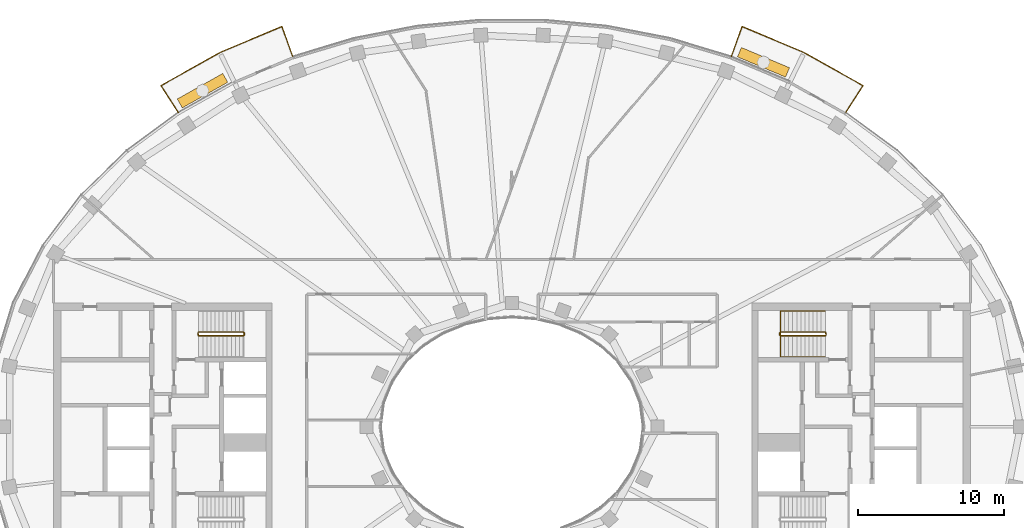
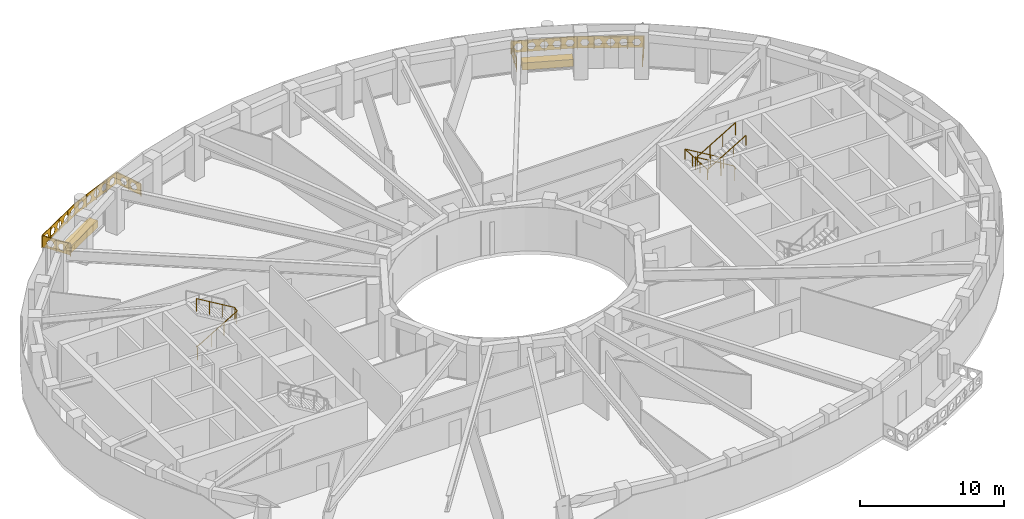
# One storey, part 14 of 15: 5 railings, 2 coverings.
"""IFC4 building model written with IfcOpenShell, lengths in metres."""

import ifcopenshell
import ifcopenshell.guid

model = None  # the IFC model being written
_history = None  # IfcOwnerHistory: only IFC2X3 demands one
_inside = {}  # id of a spatial element -> (the spatial element, [elements in it])
_under = {}  # id of a project, library or spatial element -> (it, [spatial elements below it])
_declared = {}  # id of a project -> (the project, [libraries it declares])
_typed = {}  # id of a type object -> (the type object, [elements of that type])
_made_of = {}  # id of a material, layer set ... -> (it, [elements and type objects made of it])


def new_model(schema):
    """Start an empty IFC model of exactly this schema.

    Asked for "IFC4X3", IfcOpenShell would pick the latest addendum, in which some entities
    have other attributes; the version numbers below select the first issue.
    IFC2X3 requires an IfcOwnerHistory on every rooted entity: one is made here for all.
    """
    global model, _history
    if schema == "IFC4X3":
        model = ifcopenshell.file(schema_version=(4, 3, 0, 0))
    else:
        model = ifcopenshell.file(schema=schema)
    _inside.clear()
    _under.clear()
    _declared.clear()
    _typed.clear()
    _made_of.clear()
    _history = None
    if model.schema == "IFC2X3":
        org = make("IfcOrganization", Name="unknown")
        user = make(
            "IfcPersonAndOrganization",
            ThePerson=make("IfcPerson", FamilyName="unknown"),
            TheOrganization=org,
        )
        app = make(
            "IfcApplication",
            ApplicationDeveloper=org,
            Version="unknown",
            ApplicationFullName="unknown",
            ApplicationIdentifier="unknown",
        )
        _history = make(
            "IfcOwnerHistory",
            OwningUser=user,
            OwningApplication=app,
            ChangeAction="ADDED",
            CreationDate=0,
        )
    return model


def make(cls, **values):
    """One entity of the class cls with the attributes given. An attribute that is None is left unset."""
    return model.create_entity(
        cls, **{name: value for name, value in values.items() if value is not None}
    )


def rooted(cls, **values):
    """An entity with a GlobalId (a new one), such as an element, a storey or a relation."""
    return make(cls, GlobalId=ifcopenshell.guid.new(), OwnerHistory=_history, **values)


def si_unit(unit_type, name, prefix=None):
    """IfcSIUnit, for example si_unit("LENGTHUNIT", "METRE", prefix="MILLI")."""
    return make("IfcSIUnit", UnitType=unit_type, Prefix=prefix, Name=name)


def assignment(units):
    """IfcUnitAssignment: the units of a project."""
    return None if units is None else make("IfcUnitAssignment", Units=units)


def point(xyz):
    """IfcCartesianPoint."""
    return None if xyz is None else make("IfcCartesianPoint", Coordinates=xyz)


def direction(xyz):
    """IfcDirection."""
    return None if xyz is None else make("IfcDirection", DirectionRatios=xyz)


def frame(location, z_axis=None, x_axis=None):
    """IfcAxis2Placement3D, a coordinate frame: its origin and axes. An axis left out is left unset."""
    return make(
        "IfcAxis2Placement3D",
        Location=point(location),
        Axis=direction(z_axis),
        RefDirection=direction(x_axis),
    )


def frame_2d(location, x_axis=None):
    """IfcAxis2Placement2D, a coordinate frame in the plane: its origin and x axis."""
    return make(
        "IfcAxis2Placement2D", Location=point(location), RefDirection=direction(x_axis)
    )


def origin():
    """The frame at (0, 0, 0) with its axes left unset."""
    return frame((0.0, 0.0, 0.0))


def origin_2d():
    """The frame at (0, 0) in the plane with its x axis left unset."""
    return frame_2d((0.0, 0.0))


def place(relative_to, where):
    """IfcLocalPlacement: puts the frame where relative to a parent placement (None: the world)."""
    return make(
        "IfcLocalPlacement", PlacementRelTo=relative_to, RelativePlacement=where
    )


def context(
    kind, dimensions, precision=None, world=None, true_north=None, identifier=None
):
    """IfcGeometricRepresentationContext, for example the 3D "Model" context."""
    return make(
        "IfcGeometricRepresentationContext",
        ContextIdentifier=identifier,
        ContextType=kind,
        CoordinateSpaceDimension=dimensions,
        Precision=precision,
        WorldCoordinateSystem=world,
        TrueNorth=true_north,
    )


def subcontext(parent, identifier, kind, view, scale=None):
    """IfcGeometricRepresentationSubContext, for example "Body" below "Model"."""
    return make(
        "IfcGeometricRepresentationSubContext",
        ContextIdentifier=identifier,
        ContextType=kind,
        ParentContext=parent,
        TargetScale=scale,
        TargetView=view,
    )


def project(units=None, contexts=None):
    """IfcProject with its units and contexts."""
    return rooted(
        "IfcProject",
        Name="project",
        RepresentationContexts=contexts,
        UnitsInContext=assignment(units),
    )


def spatial(cls, under=None, at=None, **own):
    """A site, building, storey or space (cls), placed at a placement, below another one or the project."""
    s = rooted(cls, ObjectPlacement=at, **own)
    if under is not None:
        _under.setdefault(under.id(), (under, []))[1].append(s)
    return s


def polyline(points):
    """IfcPolyline through the points."""
    return make("IfcPolyline", Points=[point(p) for p in points])


def profile(cls, at=None, kind="AREA", **sizes):
    """A parametric profile (cls). Its sizes go by their IFC names, for example OverallWidth=200.0."""
    return make(cls, ProfileType=kind, Position=at, **sizes)


def rectangle(**sizes):
    """IfcRectangleProfileDef."""
    return profile("IfcRectangleProfileDef", **sizes)


def outline(outer, holes=None, kind="AREA"):
    """IfcArbitraryClosedProfileDef: a profile drawn as a closed curve; with holes, ...WithVoids."""
    if holes is None:
        return make("IfcArbitraryClosedProfileDef", ProfileType=kind, OuterCurve=outer)
    return make(
        "IfcArbitraryProfileDefWithVoids",
        ProfileType=kind,
        OuterCurve=outer,
        InnerCurves=holes,
    )


def extrude(swept, where, along, depth):
    """IfcExtrudedAreaSolid: the profile swept, set in the frame where, extruded along a direction by depth."""
    return make(
        "IfcExtrudedAreaSolid",
        SweptArea=swept,
        Position=where,
        ExtrudedDirection=direction(along),
        Depth=depth,
    )


def shape(context_of_items, identifier, shape_type, items):
    """IfcShapeRepresentation: the items that make up one representation, for example the "Body"."""
    return make(
        "IfcShapeRepresentation",
        ContextOfItems=context_of_items,
        RepresentationIdentifier=identifier,
        RepresentationType=shape_type,
        Items=items,
    )


def material(Name=None, Category=None):
    """IfcMaterial."""
    return make("IfcMaterial", Name=Name, Category=Category)


def made_of(thing, what):
    """Note that an element or type object is made of a material, layer set ...; save() writes the relation."""
    if what is not None:
        _made_of.setdefault(what.id(), (what, []))[1].append(thing)
    return thing


def type_object(cls, material=None, **own):
    """A type object (cls), such as IfcWallType, which elements share."""
    return made_of(rooted(cls, **own), material)


def element(
    cls,
    number,
    at=None,
    inside=None,
    cuts=None,
    type_object=None,
    material=None,
    context=None,
    identifier="Body",
    shape_type=None,
    held_by="IfcProductDefinitionShape",
    body=None,
    shapes=None,
    **own,
):
    """One element of the class cls, such as IfcWall. Its Tag is "e" and its number.

    at: its placement. inside: the storey or other place that contains it. cuts: it is an
    opening in that element (IfcRelVoidsElement). A single representation is given by context,
    identifier, shape_type and body (its items); several are given by shapes. held_by: the class
    of the entity that holds the representations. save() writes the other relations.
    """
    e = rooted(cls, Tag="e%d" % number, ObjectPlacement=at, **own)
    if body is not None:
        shapes = [shape(context, identifier, shape_type, body)]
    if shapes is not None:
        e.Representation = make(held_by, Representations=shapes)
    if inside is not None:
        _inside.setdefault(inside.id(), (inside, []))[1].append(e)
    if cuts is not None:
        rooted(
            "IfcRelVoidsElement", RelatingBuildingElement=cuts, RelatedOpeningElement=e
        )
    if type_object is not None:
        _typed.setdefault(type_object.id(), (type_object, []))[1].append(e)
    return made_of(e, material)


def aggregate(whole, parts):
    """IfcRelAggregates: a whole, such as a stair, and the parts it consists of."""
    return rooted("IfcRelAggregates", RelatingObject=whole, RelatedObjects=parts)


def save(model, path):
    """Write the relations noted so far, then the file.

    IfcRelAggregates (storeys below a building ...), IfcRelContainedInSpatialStructure (elements
    in a storey), IfcRelDefinesByType, IfcRelAssociatesMaterial and IfcRelDeclares: one each for
    every whole, place, type object, material and project.
    """
    for whole, parts in _under.values():
        aggregate(whole, parts)
    for where, things in _inside.values():
        rooted(
            "IfcRelContainedInSpatialStructure",
            RelatedElements=things,
            RelatingStructure=where,
        )
    for kind, things in _typed.values():
        rooted("IfcRelDefinesByType", RelatedObjects=things, RelatingType=kind)
    for what, things in _made_of.values():
        rooted("IfcRelAssociatesMaterial", RelatedObjects=things, RelatingMaterial=what)
    for by, libraries in _declared.values():
        rooted("IfcRelDeclares", RelatingContext=by, RelatedDefinitions=libraries)
    model.write(path)


model = new_model("IFC4")

# Units and contexts
model_context = context("Model", 3, precision=1e-05, world=origin(), true_north=direction((0.0, 1.0)))
body_context = subcontext(model_context, "Body", "Model", "MODEL_VIEW")
ifc_project = project(units=[si_unit("LENGTHUNIT", "METRE"), si_unit("AREAUNIT", "SQUARE_METRE"), si_unit("VOLUMEUNIT", "CUBIC_METRE"), si_unit("PLANEANGLEUNIT", "RADIAN"), si_unit("MASSUNIT", "GRAM", prefix="KILO")], contexts=[model_context])

# Site, building, storey
site_placement = place(None, origin())
site = spatial("IfcSite", under=ifc_project, at=site_placement, CompositionType="ELEMENT")
building_placement = place(site_placement, origin())
building = spatial("IfcBuilding", under=site, at=building_placement, Name="Noorbagh Ring Tower", CompositionType="ELEMENT")
storey_placement = place(building_placement, frame((0.0, 0.0, 295.0)))
storey = spatial("IfcBuildingStorey", under=building, at=storey_placement, Name="L63", CompositionType="ELEMENT", Elevation=295.0)

# Railings
ifc_material_1 = material(Name="Stainless steel", Category="steel")
railing_type_1 = type_object("IfcRailingType", Name="CORE-STAIR-GUARD", PredefinedType="GUARDRAIL", material=ifc_material_1)
railing_1_placement = place(storey_placement, frame((-21.580078125, 6.300048828125, 0.0)))
element("IfcRailing", 1, at=railing_1_placement, inside=storey, type_object=railing_type_1, Name="L63 ST1 stair guard", PredefinedType="GUARDRAIL", context=body_context, shape_type="SweptSolid", body=[
    extrude(rectangle(XDim=0.048095703125, YDim=0.048095703125, at=origin_2d()), frame((0.0, 0.0, 1.076171875), z_axis=(0.0, 1.0, 0.0), x_axis=(-1.0, 0.0, 0.0)), (0.0, 0.0, 1.0), 0.14990234375),
    extrude(rectangle(XDim=0.048095703125, YDim=0.048095703125, at=origin_2d()), frame((0.0, 0.14990234375, 1.076171875), z_axis=(0.188775798145, -0.754182335027, 0.628945707965), x_axis=(0.970072785993, 0.242814311512, 0.0)), (0.0, 0.0, 1.0), 0.26513671875),
    extrude(rectangle(XDim=0.048095703125, YDim=0.048095703125, at=origin_2d()), frame((0.050048828125, -0.050048828125, 1.24267578125), z_axis=(0.859308565015, 0.0, 0.511457515432), x_axis=(0.0, 1.0, 0.0)), (0.0, 0.0, 1.0), 3.58447265625),
    extrude(rectangle(XDim=0.048095703125, YDim=0.048095703125, at=origin_2d()), frame((3.130126953125, -0.050048828125, 3.076171875), z_axis=(0.707106781187, 0.707106781187, 0.0), x_axis=(-0.707106781187, 0.707106781187, 0.0)), (0.0, 0.0, 1.0), 0.07080078125),
    extrude(rectangle(XDim=0.048095703125, YDim=0.048095703125, at=origin_2d()), frame((3.18017578125, 0.0, 3.076171875), z_axis=(0.0, 1.0, 0.0), x_axis=(-1.0, 0.0, 0.0)), (0.0, 0.0, 1.0), 0.14990234375),
    extrude(rectangle(XDim=0.048095703125, YDim=0.048095703125, at=origin_2d()), frame((3.18017578125, 0.14990234375, 3.076171875), z_axis=(-0.27628659633, 0.27628659633, 0.920506074601), x_axis=(-0.707106781187, -0.707106781187, 0.0)), (0.0, 0.0, 1.0), 0.18115234375),
    extrude(rectangle(XDim=0.048095703125, YDim=0.048095703125, at=origin_2d()), frame((3.130126953125, 0.199951171875, 3.24267578125), z_axis=(-0.859308565015, 0.0, 0.511457515432), x_axis=(0.0, -1.0, 0.0)), (0.0, 0.0, 1.0), 3.58447265625),
    extrude(rectangle(XDim=0.0419921875, YDim=0.0419921875, at=origin_2d()), origin(), (0.0, 0.0, 1.0), 1.052001953125),
    extrude(rectangle(XDim=0.0419921875, YDim=0.0419921875, at=origin_2d()), frame((1.07666015625, -0.050048828125, 0.77783203125)), (0.0, 0.0, 1.0), 1.052001953125),
    extrude(rectangle(XDim=0.0419921875, YDim=0.0419921875, at=origin_2d()), frame((2.103515625, -0.050048828125, 1.388916015625)), (0.0, 0.0, 1.0), 1.052001953125),
    extrude(rectangle(XDim=0.0419921875, YDim=0.0419921875, at=origin_2d()), frame((3.130126953125, -0.050048828125, 2.0)), (0.0, 0.0, 1.0), 1.052001953125),
    extrude(rectangle(XDim=0.0419921875, YDim=0.0419921875, at=origin_2d()), frame((3.130126953125, 0.199951171875, 2.166748046875)), (0.0, 0.0, 1.0), 1.052001953125),
    extrude(rectangle(XDim=0.0419921875, YDim=0.0419921875, at=origin_2d()), frame((2.103515625, 0.199951171875, 2.77783203125)), (0.0, 0.0, 1.0), 1.052001953125),
    extrude(rectangle(XDim=0.0419921875, YDim=0.0419921875, at=origin_2d()), frame((1.07666015625, 0.199951171875, 3.388916015625)), (0.0, 0.0, 1.0), 1.052001953125),
    extrude(rectangle(XDim=0.0419921875, YDim=0.0419921875, at=origin_2d()), frame((0.050048828125, 0.199951171875, 4.0)), (0.0, 0.0, 1.0), 1.052001953125),
])
railing_2_placement = place(storey_placement, frame((21.580078125, 6.449951171875, 0.0)))
element("IfcRailing", 2, at=railing_2_placement, inside=storey, type_object=railing_type_1, Name="L63 ST3 stair guard", PredefinedType="GUARDRAIL", context=body_context, shape_type="SweptSolid", body=[
    extrude(rectangle(XDim=0.048095703125, YDim=0.048095703125, at=origin_2d()), frame((0.0, 0.0, 1.076171875), z_axis=(0.0, -1.0, 0.0), x_axis=(1.0, 0.0, 0.0)), (0.0, 0.0, 1.0), 0.14990234375),
    extrude(rectangle(XDim=0.048095703125, YDim=0.048095703125, at=origin_2d()), frame((0.0, -0.14990234375, 1.076171875), z_axis=(-0.188775798145, 0.754182335027, 0.628945707965), x_axis=(-0.970072785993, -0.242814311512, 0.0)), (0.0, 0.0, 1.0), 0.26513671875),
    extrude(rectangle(XDim=0.048095703125, YDim=0.048095703125, at=origin_2d()), frame((-0.050048828125, 0.050048828125, 1.24267578125), z_axis=(-0.859308565015, 0.0, 0.511457515432), x_axis=(0.0, -1.0, 0.0)), (0.0, 0.0, 1.0), 3.58447265625),
    extrude(rectangle(XDim=0.048095703125, YDim=0.048095703125, at=origin_2d()), frame((-3.130126953125, 0.050048828125, 3.076171875), z_axis=(-0.707106781187, -0.707106781187, 0.0), x_axis=(0.707106781187, -0.707106781187, 0.0)), (0.0, 0.0, 1.0), 0.07080078125),
    extrude(rectangle(XDim=0.048095703125, YDim=0.048095703125, at=origin_2d()), frame((-3.18017578125, 0.0, 3.076171875), z_axis=(0.0, -1.0, 0.0), x_axis=(1.0, 0.0, 0.0)), (0.0, 0.0, 1.0), 0.14990234375),
    extrude(rectangle(XDim=0.048095703125, YDim=0.048095703125, at=origin_2d()), frame((-3.18017578125, -0.14990234375, 3.076171875), z_axis=(0.27628659633, -0.27628659633, 0.920506074601), x_axis=(0.707106781187, 0.707106781187, 0.0)), (0.0, 0.0, 1.0), 0.18115234375),
    extrude(rectangle(XDim=0.048095703125, YDim=0.048095703125, at=origin_2d()), frame((-3.130126953125, -0.199951171875, 3.24267578125), z_axis=(0.859308565015, 0.0, 0.511457515432), x_axis=(0.0, 1.0, 0.0)), (0.0, 0.0, 1.0), 3.58447265625),
    extrude(rectangle(XDim=0.0419921875, YDim=0.0419921875, at=origin_2d()), origin(), (0.0, 0.0, 1.0), 1.052001953125),
    extrude(rectangle(XDim=0.0419921875, YDim=0.0419921875, at=origin_2d()), frame((-1.07666015625, 0.050048828125, 0.77783203125)), (0.0, 0.0, 1.0), 1.052001953125),
    extrude(rectangle(XDim=0.0419921875, YDim=0.0419921875, at=origin_2d()), frame((-2.103515625, 0.050048828125, 1.388916015625)), (0.0, 0.0, 1.0), 1.052001953125),
    extrude(rectangle(XDim=0.0419921875, YDim=0.0419921875, at=origin_2d()), frame((-3.130126953125, 0.050048828125, 2.0)), (0.0, 0.0, 1.0), 1.052001953125),
    extrude(rectangle(XDim=0.0419921875, YDim=0.0419921875, at=origin_2d()), frame((-3.130126953125, -0.199951171875, 2.166748046875)), (0.0, 0.0, 1.0), 1.052001953125),
    extrude(rectangle(XDim=0.0419921875, YDim=0.0419921875, at=origin_2d()), frame((-2.103515625, -0.199951171875, 2.77783203125)), (0.0, 0.0, 1.0), 1.052001953125),
    extrude(rectangle(XDim=0.0419921875, YDim=0.0419921875, at=origin_2d()), frame((-1.07666015625, -0.199951171875, 3.388916015625)), (0.0, 0.0, 1.0), 1.052001953125),
    extrude(rectangle(XDim=0.0419921875, YDim=0.0419921875, at=origin_2d()), frame((-0.050048828125, -0.199951171875, 4.0)), (0.0, 0.0, 1.0), 1.052001953125),
])
ifc_material_2 = material(Name="Stainless steel", Category="steel")
railing_type_2 = type_object("IfcRailingType", Name="CORE-STAIR-HANDRAIL", PredefinedType="HANDRAIL", material=ifc_material_2)
railing_3_placement = place(storey_placement, frame((21.530029296875, 7.949951171875, 0.166748046875)))
element("IfcRailing", 3, at=railing_3_placement, inside=storey, type_object=railing_type_2, Name="L63 ST3 stair handrail", PredefinedType="HANDRAIL", context=body_context, shape_type="SweptSolid", body=[
    extrude(rectangle(XDim=0.048095703125, YDim=0.048095703125, at=origin_2d()), frame((0.0, 0.0, 0.8759765625), z_axis=(-0.859308565015, 0.0, 0.511457515432), x_axis=(0.0, -1.0, 0.0)), (0.0, 0.0, 1.0), 3.58447265625),
    extrude(rectangle(XDim=0.048095703125, YDim=0.048095703125, at=origin_2d()), frame((-3.080078125, 0.0, 2.708984375), z_axis=(0.0, -0.998601747152, 0.052863509014), x_axis=(1.0, 0.0, 0.0)), (0.0, 0.0, 1.0), 3.154296875),
    extrude(rectangle(XDim=0.048095703125, YDim=0.048095703125, at=origin_2d()), frame((-3.080078125, -3.14990234375, 2.8759765625), z_axis=(0.859308565015, 0.0, 0.511457515432), x_axis=(0.0, 1.0, 0.0)), (0.0, 0.0, 1.0), 3.58447265625),
    extrude(rectangle(XDim=0.0419921875, YDim=0.0419921875, at=origin_2d()), origin(), (0.0, 0.0, 1.0), 0.851806640625),
    extrude(rectangle(XDim=0.0419921875, YDim=0.0419921875, at=origin_2d()), frame((-1.026611328125, 0.0, 0.611083984375)), (0.0, 0.0, 1.0), 0.851806640625),
    extrude(rectangle(XDim=0.0419921875, YDim=0.0419921875, at=origin_2d()), frame((-2.053466796875, 0.0, 1.22216796875)), (0.0, 0.0, 1.0), 0.851806640625),
    extrude(rectangle(XDim=0.0419921875, YDim=0.0419921875, at=origin_2d()), frame((-3.080078125, 0.0, 1.833251953125)), (0.0, 0.0, 1.0), 0.851806640625),
    extrude(rectangle(XDim=0.0419921875, YDim=0.0419921875, at=origin_2d()), frame((-3.080078125, -1.050048828125, 1.888916015625)), (0.0, 0.0, 1.0), 0.851806640625),
    extrude(rectangle(XDim=0.0419921875, YDim=0.0419921875, at=origin_2d()), frame((-3.080078125, -2.099853515625, 1.9443359375)), (0.0, 0.0, 1.0), 0.851806640625),
    extrude(rectangle(XDim=0.0419921875, YDim=0.0419921875, at=origin_2d()), frame((-3.080078125, -3.14990234375, 2.0)), (0.0, 0.0, 1.0), 0.851806640625),
    extrude(rectangle(XDim=0.0419921875, YDim=0.0419921875, at=origin_2d()), frame((-2.053466796875, -3.14990234375, 2.611083984375)), (0.0, 0.0, 1.0), 0.851806640625),
    extrude(rectangle(XDim=0.0419921875, YDim=0.0419921875, at=origin_2d()), frame((-1.026611328125, -3.14990234375, 3.22216796875)), (0.0, 0.0, 1.0), 0.851806640625),
    extrude(rectangle(XDim=0.0419921875, YDim=0.0419921875, at=origin_2d()), frame((0.0, -3.14990234375, 3.833251953125)), (0.0, 0.0, 1.0), 0.851806640625),
])
ifc_material_3 = material(Name="Steel S275 black powder-coated", Category="steel")
railing_type_3 = type_object("IfcRailingType", Name="ENV-GUARD", PredefinedType="GUARDRAIL", material=ifc_material_3)
railing_4_placement = place(storey_placement, frame((22.9326171875, 21.583740234375, 0.0)))
element("IfcRailing", 4, at=railing_4_placement, inside=storey, type_object=railing_type_3, Name="Balcony guard BN02", PredefinedType="GUARDRAIL", context=body_context, shape_type="SweptSolid", body=[
    extrude(rectangle(XDim=0.048095703125, YDim=0.048095703125, at=origin_2d()), frame((0.0, 0.0, 1.076171875), z_axis=(0.542268136821, 0.840205491406, 0.0), x_axis=(-0.840205491406, 0.542268136821, 0.0)), (0.0, 0.0, 1.0), 2.204345703125),
    extrude(rectangle(XDim=0.048095703125, YDim=0.048095703125, at=origin_2d()), frame((1.1953125, 1.85205078125, 1.076171875), z_axis=(-0.872052247658, 0.489412788303, 0.0), x_axis=(-0.489412788303, -0.872052247658, 0.0)), (0.0, 0.0, 1.0), 4.646240234375),
    extrude(rectangle(XDim=0.048095703125, YDim=0.048095703125, at=origin_2d()), frame((-2.8564453125, 4.1259765625, 1.076171875), z_axis=(-0.921809087722, 0.387644174203, 0.0), x_axis=(-0.387644174203, -0.921809087722, 0.0)), (0.0, 0.0, 1.0), 4.627197265625),
    extrude(rectangle(XDim=0.048095703125, YDim=0.048095703125, at=origin_2d()), frame((-7.121826171875, 5.919677734375, 1.076171875), z_axis=(-0.338350546839, -0.941020141896, 0.0), x_axis=(0.941020141896, -0.338350546839, 0.0)), (0.0, 0.0, 1.0), 2.202880859375),
    extrude(rectangle(XDim=0.0419921875, YDim=0.0419921875, at=origin_2d()), origin(), (0.0, 0.0, 1.0), 1.052001953125),
    extrude(rectangle(XDim=0.0419921875, YDim=0.0419921875, at=origin_2d()), frame((0.59765625, 0.926025390625, 0.0)), (0.0, 0.0, 1.0), 1.052001953125),
    extrude(rectangle(XDim=0.0419921875, YDim=0.0419921875, at=origin_2d()), frame((1.1953125, 1.85205078125, 0.0)), (0.0, 0.0, 1.0), 1.052001953125),
    extrude(rectangle(XDim=0.0419921875, YDim=0.0419921875, at=origin_2d()), frame((0.182373046875, 2.42041015625, 0.0)), (0.0, 0.0, 1.0), 1.052001953125),
    extrude(rectangle(XDim=0.0419921875, YDim=0.0419921875, at=origin_2d()), frame((-0.83056640625, 2.989013671875, 0.0)), (0.0, 0.0, 1.0), 1.052001953125),
    extrude(rectangle(XDim=0.0419921875, YDim=0.0419921875, at=origin_2d()), frame((-1.843505859375, 3.5576171875, 0.0)), (0.0, 0.0, 1.0), 1.052001953125),
    extrude(rectangle(XDim=0.0419921875, YDim=0.0419921875, at=origin_2d()), frame((-2.8564453125, 4.1259765625, 0.0)), (0.0, 0.0, 1.0), 1.052001953125),
    extrude(rectangle(XDim=0.0419921875, YDim=0.0419921875, at=origin_2d()), frame((-3.9228515625, 4.574462890625, 0.0)), (0.0, 0.0, 1.0), 1.052001953125),
    extrude(rectangle(XDim=0.0419921875, YDim=0.0419921875, at=origin_2d()), frame((-4.9892578125, 5.02294921875, 0.0)), (0.0, 0.0, 1.0), 1.052001953125),
    extrude(rectangle(XDim=0.0419921875, YDim=0.0419921875, at=origin_2d()), frame((-6.055419921875, 5.47119140625, 0.0)), (0.0, 0.0, 1.0), 1.052001953125),
    extrude(rectangle(XDim=0.0419921875, YDim=0.0419921875, at=origin_2d()), frame((-7.121826171875, 5.919677734375, 0.0)), (0.0, 0.0, 1.0), 1.052001953125),
    extrude(rectangle(XDim=0.0419921875, YDim=0.0419921875, at=origin_2d()), frame((-7.49462890625, 4.88330078125, 0.0)), (0.0, 0.0, 1.0), 1.052001953125),
    extrude(rectangle(XDim=0.0419921875, YDim=0.0419921875, at=origin_2d()), frame((-7.8671875, 3.8466796875, 0.0)), (0.0, 0.0, 1.0), 1.052001953125),
    extrude(outline(polyline([(0.0, 0.10009765625), (2.204345703125, 0.10009765625), (2.204345703125, 1.031982421875), (0.0, 1.031982421875), (0.0, 0.10009765625)]), holes=[polyline([(0.962158203125, 0.56591796875), (0.80712890625, 0.83447265625), (0.4970703125, 0.83447265625), (0.342041015625, 0.56591796875), (0.4970703125, 0.297607421875), (0.80712890625, 0.297607421875), (0.962158203125, 0.56591796875)]), polyline([(1.862060546875, 0.56591796875), (1.70703125, 0.83447265625), (1.397216796875, 0.83447265625), (1.2421875, 0.56591796875), (1.397216796875, 0.297607421875), (1.70703125, 0.297607421875), (1.862060546875, 0.56591796875)])]), frame((-0.00830078125, 0.00537109375, 0.0), z_axis=(0.840205491406, -0.542268136821, 0.0), x_axis=(0.542268136821, 0.840205491406, 0.0)), (0.0, 0.0, 1.0), 0.02001953125),
    extrude(outline(polyline([(0.0, 0.10009765625), (4.646240234375, 0.10009765625), (4.646240234375, 1.031982421875), (0.0, 1.031982421875), (0.0, 0.10009765625)]), holes=[polyline([(0.8330078125, 0.56591796875), (0.67822265625, 0.83447265625), (0.3681640625, 0.83447265625), (0.213134765625, 0.56591796875), (0.3681640625, 0.297607421875), (0.67822265625, 0.297607421875), (0.8330078125, 0.56591796875)]), polyline([(1.733154296875, 0.56591796875), (1.578125, 0.83447265625), (1.26806640625, 0.83447265625), (1.113037109375, 0.56591796875), (1.26806640625, 0.297607421875), (1.578125, 0.297607421875), (1.733154296875, 0.56591796875)]), polyline([(2.633056640625, 0.56591796875), (2.47802734375, 0.83447265625), (2.168212890625, 0.83447265625), (2.01318359375, 0.56591796875), (2.168212890625, 0.297607421875), (2.47802734375, 0.297607421875), (2.633056640625, 0.56591796875)]), polyline([(3.533203125, 0.56591796875), (3.378173828125, 0.83447265625), (3.068115234375, 0.83447265625), (2.9130859375, 0.56591796875), (3.068115234375, 0.297607421875), (3.378173828125, 0.297607421875), (3.533203125, 0.56591796875)]), polyline([(4.43310546875, 0.56591796875), (4.278076171875, 0.83447265625), (3.968017578125, 0.83447265625), (3.813232421875, 0.56591796875), (3.968017578125, 0.297607421875), (4.278076171875, 0.297607421875), (4.43310546875, 0.56591796875)])]), frame((1.1904296875, 1.84326171875, 0.0), z_axis=(0.489412788303, 0.872052247658, 0.0), x_axis=(-0.872052247658, 0.489412788303, 0.0)), (0.0, 0.0, 1.0), 0.02001953125),
    extrude(outline(polyline([(0.0, 0.10009765625), (4.627197265625, 0.10009765625), (4.627197265625, 1.031982421875), (0.0, 1.031982421875), (0.0, 0.10009765625)]), holes=[polyline([(0.823486328125, 0.56591796875), (0.668701171875, 0.83447265625), (0.358642578125, 0.83447265625), (0.20361328125, 0.56591796875), (0.358642578125, 0.297607421875), (0.668701171875, 0.297607421875), (0.823486328125, 0.56591796875)]), polyline([(1.7236328125, 0.56591796875), (1.568603515625, 0.83447265625), (1.258544921875, 0.83447265625), (1.103515625, 0.56591796875), (1.258544921875, 0.297607421875), (1.568603515625, 0.297607421875), (1.7236328125, 0.56591796875)]), polyline([(2.62353515625, 0.56591796875), (2.468505859375, 0.83447265625), (2.15869140625, 0.83447265625), (2.003662109375, 0.56591796875), (2.15869140625, 0.297607421875), (2.468505859375, 0.297607421875), (2.62353515625, 0.56591796875)]), polyline([(3.523681640625, 0.56591796875), (3.36865234375, 0.83447265625), (3.05859375, 0.83447265625), (2.903564453125, 0.56591796875), (3.05859375, 0.297607421875), (3.36865234375, 0.297607421875), (3.523681640625, 0.56591796875)]), polyline([(4.423583984375, 0.56591796875), (4.2685546875, 0.83447265625), (3.95849609375, 0.83447265625), (3.8037109375, 0.56591796875), (3.95849609375, 0.297607421875), (4.2685546875, 0.297607421875), (4.423583984375, 0.56591796875)])]), frame((-2.8603515625, 4.11669921875, 0.0), z_axis=(0.387644174203, 0.921809087722, 0.0), x_axis=(-0.921809087722, 0.387644174203, 0.0)), (0.0, 0.0, 1.0), 0.02001953125),
    extrude(outline(polyline([(0.0, 0.10009765625), (2.202880859375, 0.10009765625), (2.202880859375, 1.031982421875), (0.0, 1.031982421875), (0.0, 0.10009765625)]), holes=[polyline([(0.96142578125, 0.56591796875), (0.806396484375, 0.83447265625), (0.49658203125, 0.83447265625), (0.341552734375, 0.56591796875), (0.49658203125, 0.297607421875), (0.806396484375, 0.297607421875), (0.96142578125, 0.56591796875)]), polyline([(1.861572265625, 0.56591796875), (1.70654296875, 0.83447265625), (1.396484375, 0.83447265625), (1.241455078125, 0.56591796875), (1.396484375, 0.297607421875), (1.70654296875, 0.297607421875), (1.861572265625, 0.56591796875)])]), frame((-7.1123046875, 5.916259765625, 0.0), z_axis=(-0.941020141896, 0.338350546839, 0.0), x_axis=(-0.338350546839, -0.941020141896, 0.0)), (0.0, 0.0, 1.0), 0.02001953125),
])
railing_5_placement = place(storey_placement, frame((-15.0654296875, 25.430419921875, 0.0)))
element("IfcRailing", 5, at=railing_5_placement, inside=storey, type_object=railing_type_3, Name="Balcony guard BN05", PredefinedType="GUARDRAIL", context=body_context, shape_type="SweptSolid", body=[
    extrude(rectangle(XDim=0.048095703125, YDim=0.048095703125, at=origin_2d()), frame((0.0, 0.0, 1.076171875), z_axis=(-0.338350546839, 0.941020141896, 0.0), x_axis=(-0.941020141896, -0.338350546839, 0.0)), (0.0, 0.0, 1.0), 2.202880859375),
    extrude(rectangle(XDim=0.048095703125, YDim=0.048095703125, at=origin_2d()), frame((-0.745361328125, 2.072998046875, 1.076171875), z_axis=(-0.921809087722, -0.387644174203, 0.0), x_axis=(0.387644174203, -0.921809087722, 0.0)), (0.0, 0.0, 1.0), 4.627197265625),
    extrude(rectangle(XDim=0.048095703125, YDim=0.048095703125, at=origin_2d()), frame((-5.0107421875, 0.279296875, 1.076171875), z_axis=(-0.872052247658, -0.489412788303, 0.0), x_axis=(0.489412788303, -0.872052247658, 0.0)), (0.0, 0.0, 1.0), 4.646240234375),
    extrude(rectangle(XDim=0.048095703125, YDim=0.048095703125, at=origin_2d()), frame((-9.0625, -1.99462890625, 1.076171875), z_axis=(0.542268136821, -0.840205491406, 0.0), x_axis=(0.840205491406, 0.542268136821, 0.0)), (0.0, 0.0, 1.0), 2.204345703125),
    extrude(rectangle(XDim=0.0419921875, YDim=0.0419921875, at=origin_2d()), origin(), (0.0, 0.0, 1.0), 1.052001953125),
    extrude(rectangle(XDim=0.0419921875, YDim=0.0419921875, at=origin_2d()), frame((-0.37255859375, 1.03662109375, 0.0)), (0.0, 0.0, 1.0), 1.052001953125),
    extrude(rectangle(XDim=0.0419921875, YDim=0.0419921875, at=origin_2d()), frame((-0.745361328125, 2.072998046875, 0.0)), (0.0, 0.0, 1.0), 1.052001953125),
    extrude(rectangle(XDim=0.0419921875, YDim=0.0419921875, at=origin_2d()), frame((-1.811767578125, 1.62451171875, 0.0)), (0.0, 0.0, 1.0), 1.052001953125),
    extrude(rectangle(XDim=0.0419921875, YDim=0.0419921875, at=origin_2d()), frame((-2.8779296875, 1.17626953125, 0.0)), (0.0, 0.0, 1.0), 1.052001953125),
    extrude(rectangle(XDim=0.0419921875, YDim=0.0419921875, at=origin_2d()), frame((-3.9443359375, 0.727783203125, 0.0)), (0.0, 0.0, 1.0), 1.052001953125),
    extrude(rectangle(XDim=0.0419921875, YDim=0.0419921875, at=origin_2d()), frame((-5.0107421875, 0.279296875, 0.0)), (0.0, 0.0, 1.0), 1.052001953125),
    extrude(rectangle(XDim=0.0419921875, YDim=0.0419921875, at=origin_2d()), frame((-6.023681640625, -0.2890625, 0.0)), (0.0, 0.0, 1.0), 1.052001953125),
    extrude(rectangle(XDim=0.0419921875, YDim=0.0419921875, at=origin_2d()), frame((-7.03662109375, -0.857666015625, 0.0)), (0.0, 0.0, 1.0), 1.052001953125),
    extrude(rectangle(XDim=0.0419921875, YDim=0.0419921875, at=origin_2d()), frame((-8.049560546875, -1.42626953125, 0.0)), (0.0, 0.0, 1.0), 1.052001953125),
    extrude(rectangle(XDim=0.0419921875, YDim=0.0419921875, at=origin_2d()), frame((-9.0625, -1.99462890625, 0.0)), (0.0, 0.0, 1.0), 1.052001953125),
    extrude(rectangle(XDim=0.0419921875, YDim=0.0419921875, at=origin_2d()), frame((-8.46484375, -2.920654296875, 0.0)), (0.0, 0.0, 1.0), 1.052001953125),
    extrude(rectangle(XDim=0.0419921875, YDim=0.0419921875, at=origin_2d()), frame((-7.8671875, -3.8466796875, 0.0)), (0.0, 0.0, 1.0), 1.052001953125),
    extrude(outline(polyline([(0.0, 0.10009765625), (2.202880859375, 0.10009765625), (2.202880859375, 1.031982421875), (0.0, 1.031982421875), (0.0, 0.10009765625)]), holes=[polyline([(0.96142578125, 0.56591796875), (0.806396484375, 0.83447265625), (0.49658203125, 0.83447265625), (0.341552734375, 0.56591796875), (0.49658203125, 0.297607421875), (0.806396484375, 0.297607421875), (0.96142578125, 0.56591796875)]), polyline([(1.861572265625, 0.56591796875), (1.70654296875, 0.83447265625), (1.396484375, 0.83447265625), (1.241455078125, 0.56591796875), (1.396484375, 0.297607421875), (1.70654296875, 0.297607421875), (1.861572265625, 0.56591796875)])]), frame((-0.009521484375, -0.00341796875, 0.0), z_axis=(0.941020141896, 0.338350546839, 0.0), x_axis=(-0.338350546839, 0.941020141896, 0.0)), (0.0, 0.0, 1.0), 0.02001953125),
    extrude(outline(polyline([(0.0, 0.10009765625), (4.627197265625, 0.10009765625), (4.627197265625, 1.031982421875), (0.0, 1.031982421875), (0.0, 0.10009765625)]), holes=[polyline([(0.823486328125, 0.56591796875), (0.668701171875, 0.83447265625), (0.358642578125, 0.83447265625), (0.20361328125, 0.56591796875), (0.358642578125, 0.297607421875), (0.668701171875, 0.297607421875), (0.823486328125, 0.56591796875)]), polyline([(1.7236328125, 0.56591796875), (1.568603515625, 0.83447265625), (1.258544921875, 0.83447265625), (1.103515625, 0.56591796875), (1.258544921875, 0.297607421875), (1.568603515625, 0.297607421875), (1.7236328125, 0.56591796875)]), polyline([(2.62353515625, 0.56591796875), (2.468505859375, 0.83447265625), (2.15869140625, 0.83447265625), (2.003662109375, 0.56591796875), (2.15869140625, 0.297607421875), (2.468505859375, 0.297607421875), (2.62353515625, 0.56591796875)]), polyline([(3.523681640625, 0.56591796875), (3.36865234375, 0.83447265625), (3.05859375, 0.83447265625), (2.903564453125, 0.56591796875), (3.05859375, 0.297607421875), (3.36865234375, 0.297607421875), (3.523681640625, 0.56591796875)]), polyline([(4.423583984375, 0.56591796875), (4.2685546875, 0.83447265625), (3.95849609375, 0.83447265625), (3.8037109375, 0.56591796875), (3.95849609375, 0.297607421875), (4.2685546875, 0.297607421875), (4.423583984375, 0.56591796875)])]), frame((-0.741455078125, 2.063720703125, 0.0), z_axis=(-0.387644174203, 0.921809087722, 0.0), x_axis=(-0.921809087722, -0.387644174203, 0.0)), (0.0, 0.0, 1.0), 0.02001953125),
    extrude(outline(polyline([(0.0, 0.10009765625), (4.646240234375, 0.10009765625), (4.646240234375, 1.031982421875), (0.0, 1.031982421875), (0.0, 0.10009765625)]), holes=[polyline([(0.8330078125, 0.56591796875), (0.67822265625, 0.83447265625), (0.3681640625, 0.83447265625), (0.213134765625, 0.56591796875), (0.3681640625, 0.297607421875), (0.67822265625, 0.297607421875), (0.8330078125, 0.56591796875)]), polyline([(1.733154296875, 0.56591796875), (1.578125, 0.83447265625), (1.26806640625, 0.83447265625), (1.113037109375, 0.56591796875), (1.26806640625, 0.297607421875), (1.578125, 0.297607421875), (1.733154296875, 0.56591796875)]), polyline([(2.633056640625, 0.56591796875), (2.47802734375, 0.83447265625), (2.168212890625, 0.83447265625), (2.01318359375, 0.56591796875), (2.168212890625, 0.297607421875), (2.47802734375, 0.297607421875), (2.633056640625, 0.56591796875)]), polyline([(3.533203125, 0.56591796875), (3.378173828125, 0.83447265625), (3.068115234375, 0.83447265625), (2.9130859375, 0.56591796875), (3.068115234375, 0.297607421875), (3.378173828125, 0.297607421875), (3.533203125, 0.56591796875)]), polyline([(4.43310546875, 0.56591796875), (4.278076171875, 0.83447265625), (3.968017578125, 0.83447265625), (3.813232421875, 0.56591796875), (3.968017578125, 0.297607421875), (4.278076171875, 0.297607421875), (4.43310546875, 0.56591796875)])]), frame((-5.005859375, 0.2705078125, 0.0), z_axis=(-0.489412788303, 0.872052247658, 0.0), x_axis=(-0.872052247658, -0.489412788303, 0.0)), (0.0, 0.0, 1.0), 0.02001953125),
    extrude(outline(polyline([(0.0, 0.10009765625), (2.204345703125, 0.10009765625), (2.204345703125, 1.031982421875), (0.0, 1.031982421875), (0.0, 0.10009765625)]), holes=[polyline([(0.962158203125, 0.56591796875), (0.80712890625, 0.83447265625), (0.4970703125, 0.83447265625), (0.342041015625, 0.56591796875), (0.4970703125, 0.297607421875), (0.80712890625, 0.297607421875), (0.962158203125, 0.56591796875)]), polyline([(1.862060546875, 0.56591796875), (1.70703125, 0.83447265625), (1.397216796875, 0.83447265625), (1.2421875, 0.56591796875), (1.397216796875, 0.297607421875), (1.70703125, 0.297607421875), (1.862060546875, 0.56591796875)])]), frame((-9.05419921875, -1.9892578125, 0.0), z_axis=(-0.840205491406, -0.542268136821, 0.0), x_axis=(0.542268136821, -0.840205491406, 0.0)), (0.0, 0.0, 1.0), 0.02001953125),
])

# Coverings
ifc_material_4 = material(Name="Concrete C30/37 planter with soil", Category="concrete")
covering_type = type_object("IfcCoveringType", Name="ENV-PLANTER", PredefinedType="CLADDING", material=ifc_material_4)
covering_1_placement = place(storey_placement, frame((17.280517578125, 25.041259765625, 0.0), z_axis=(0.0, 0.0, 1.0), x_axis=(-0.921811566494, 0.387638279686, 0.0)))
element("IfcCovering", 6, at=covering_1_placement, inside=storey, type_object=covering_type, Name="PLANTER BN02", ObjectType="PLANTER", PredefinedType="CLADDING", context=body_context, shape_type="SweptSolid", body=[
    extrude(rectangle(XDim=3.5859375, YDim=0.699951171875, at=origin_2d()), origin(), (0.0, 0.0, 1.0), 0.60009765625),
])
covering_2_placement = place(storey_placement, frame((-21.26513671875, 23.093017578125, 0.0), z_axis=(0.0, 0.0, 1.0), x_axis=(-0.872044586249, -0.48942643941, 0.0)))
element("IfcCovering", 7, at=covering_2_placement, inside=storey, type_object=covering_type, Name="PLANTER BN05", ObjectType="PLANTER", PredefinedType="CLADDING", context=body_context, shape_type="SweptSolid", body=[
    extrude(rectangle(XDim=3.58544921875, YDim=0.699951171875, at=origin_2d()), origin(), (0.0, 0.0, 1.0), 0.60009765625),
])

save(model, "model.ifc")
